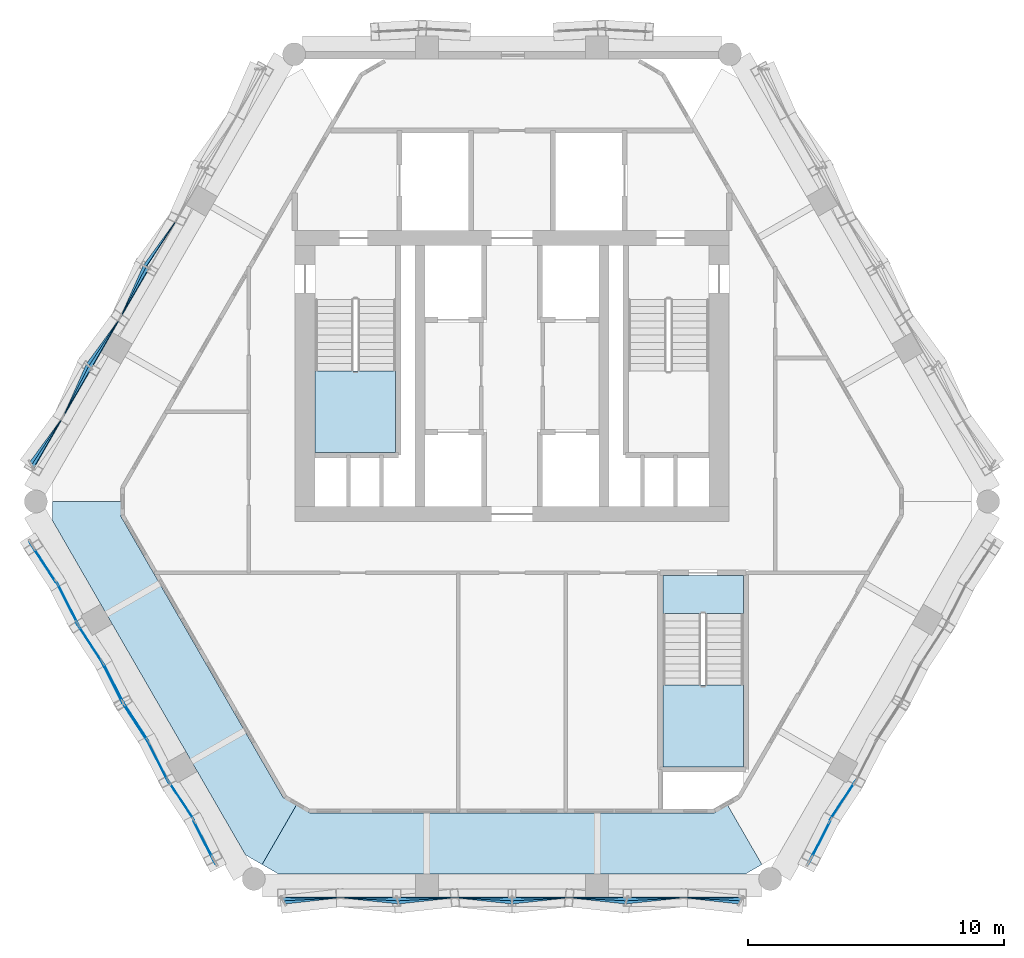
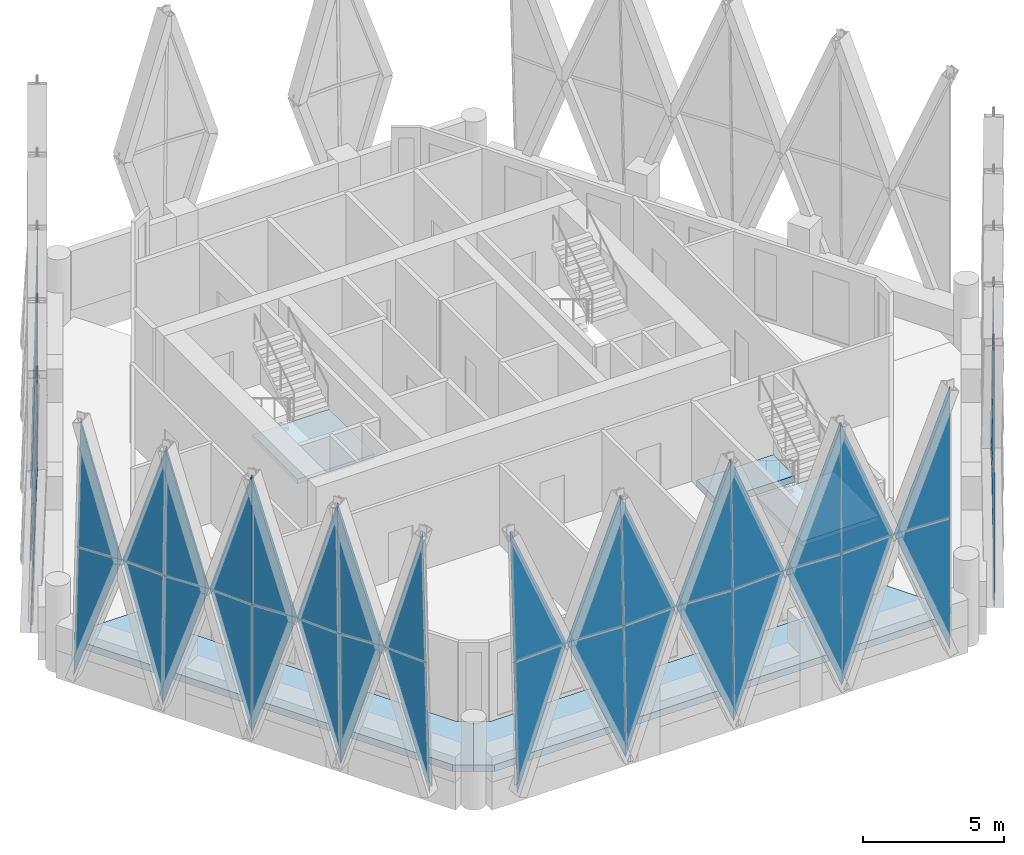
# One storey, part 10 of 21: 45 plates, 5 slabs, 18 elements without a shape of their own.
"""IFC4 building model written with IfcOpenShell, lengths in metres."""

from ifc_helpers import new_model, si_unit, direction, frame, origin, place, context, subcontext, project, spatial, polyline, outline, extrude, material, layer, layer_set, type_object, element, aggregate, save


model = new_model("IFC4")

# Units and contexts
model_context = context("Model", 3, precision=1e-05, world=origin(), true_north=direction((0.0, 1.0)))
body_context = subcontext(model_context, "Body", "Model", "MODEL_VIEW")
ifc_project = project(units=[si_unit("LENGTHUNIT", "METRE"), si_unit("AREAUNIT", "SQUARE_METRE"), si_unit("VOLUMEUNIT", "CUBIC_METRE"), si_unit("PLANEANGLEUNIT", "RADIAN"), si_unit("MASSUNIT", "GRAM", prefix="KILO")], contexts=[model_context])

# Site, building, storey
site_placement = place(None, origin())
site = spatial("IfcSite", under=ifc_project, at=site_placement, CompositionType="ELEMENT")
building_placement = place(site_placement, origin())
building = spatial("IfcBuilding", under=site, at=building_placement, Name="Ostrander Bayou Hotel Tower", CompositionType="ELEMENT")
storey_placement = place(building_placement, frame((0.0, 0.0, 256.25)))
storey = spatial("IfcBuildingStorey", under=building, at=storey_placement, Name="L63", CompositionType="ELEMENT", Elevation=256.25)

# Curtain wall, plate
ifc_material_1 = material(Name="Aluminium and clear glass", Category="aluminium")
curtain_wall_type = type_object("IfcCurtainWallType", Name="CW-LAT lattice glazing", PredefinedType="NOTDEFINED", material=ifc_material_1)
curtain_wall_1_placement = place(storey_placement, origin())
curtain_wall_1 = element("IfcCurtainWall", 1, at=curtain_wall_1_placement, inside=storey, type_object=curtain_wall_type, Name="CW-LAT L63 NW 1", PredefinedType="NOTDEFINED")
ifc_material_2 = material(Name="Clear laminated glass", Category="glass")
ifc_layer_1 = layer(ifc_material_2, 0.028076171875)
ifc_layer_set_1 = layer_set([ifc_layer_1], Name="CW-LA glazing panel 28 mm")
plate_type = type_object("IfcPlateType", Name="CW-LA glazing panel 28 mm", PredefinedType="CURTAIN_PANEL", material=ifc_layer_set_1)
plate_1_placement = place(storey_placement, frame((-13.101318359375, 10.147705078125, 5.02490234375), z_axis=(-0.838709726549, 0.544142756736, 0.02178657577), x_axis=(-0.218819247618, -0.300100725048, -0.928470619728)))
plate_1 = element("IfcPlate", 2, at=plate_1_placement, type_object=plate_type, Name="CW-LAT panel 7", PredefinedType="CURTAIN_PANEL", context=body_context, shape_type="SweptSolid", body=[
    extrude(outline(polyline([(0.0, 0.0), (6.05835002258902, 0.0), (0.830927154296583, 2.0808024842167776), (0.0, 0.0)])), origin(), (0.0, 0.0, -1.0), 0.028076171875),
])

curtain_wall_2_placement = place(storey_placement, origin())
curtain_wall_2 = element("IfcCurtainWall", 3, at=curtain_wall_2_placement, inside=storey, type_object=curtain_wall_type, Name="CW-LAT L63 NW 3", PredefinedType="NOTDEFINED")
plate_2_placement = place(storey_placement, frame((-15.3388671875, 6.2724609375, 5.02490234375), z_axis=(-0.890568507359, 0.454327217481, 0.021783322895), x_axis=(0.150513181786, 0.339551290423, -0.928466856318)))
plate_2 = element("IfcPlate", 4, at=plate_2_placement, type_object=plate_type, Name="CW-LAT panel 9", PredefinedType="CURTAIN_PANEL", context=body_context, shape_type="SweptSolid", body=[
    extrude(outline(polyline([(0.0, 0.0), (6.058374579257302, 0.0), (0.8308428261624163, -2.080528921369311), (0.0, 0.0)])), origin(), (0.0, 0.0, -1.0), 0.028076171875),
])

curtain_wall_3_placement = place(storey_placement, origin())
curtain_wall_3 = element("IfcCurtainWall", 5, at=curtain_wall_3_placement, inside=storey, type_object=curtain_wall_type, Name="CW-LAT L63 NW 4", PredefinedType="NOTDEFINED")
plate_3_placement = place(storey_placement, frame((-15.3388671875, 6.2724609375, 5.02490234375), z_axis=(-0.890568889727, 0.454327412547, 0.021763613176), x_axis=(0.185718467953, 0.319532556263, 0.929197285914)))
plate_3 = element("IfcPlate", 6, at=plate_3_placement, type_object=plate_type, Name="CW-LAT panel 10", PredefinedType="CURTAIN_PANEL", context=body_context, shape_type="SweptSolid", body=[
    extrude(outline(polyline([(0.0, 0.0), (6.053612171788315, 4.440892098500626e-16), (0.8267346499646425, 2.082164790065267), (0.0, 0.0)])), origin(), (0.0, 0.0, -1.0), 0.028076171875),
])

# Plate
plate_4_placement = place(storey_placement, frame((-15.3388671875, 6.2724609375, 5.02490234375), z_axis=(-0.83872110345, 0.544111871997, 0.022117445152), x_axis=(-0.216343178657, -0.295659587632, -0.930473555395)))
plate_4 = element("IfcPlate", 7, at=plate_4_placement, type_object=plate_type, Name="CW-LAT panel 11", PredefinedType="CURTAIN_PANEL", context=body_context, shape_type="SweptSolid", body=[
    extrude(outline(polyline([(0.0, 0.0), (6.045308829449653, -4.440892098500626e-16), (0.8194348974134258, 2.084992143740333), (0.0, 0.0)])), origin(), (0.0, 0.0, -1.0), 0.028076171875),
])

# Curtain wall, plate
curtain_wall_4_placement = place(storey_placement, origin())
curtain_wall_4 = element("IfcCurtainWall", 8, at=curtain_wall_4_placement, inside=storey, type_object=curtain_wall_type, Name="CW-LAT L63 NW 2", PredefinedType="NOTDEFINED")
plate_5_placement = place(storey_placement, frame((-15.3388671875, 6.2724609375, 5.02490234375), z_axis=(-0.838720665132, 0.544111587642, 0.022141049547), x_axis=(-0.186360104934, -0.324993350777, 0.927172709499)))
plate_5 = element("IfcPlate", 9, at=plate_5_placement, type_object=plate_type, Name="CW-LAT panel 12", PredefinedType="CURTAIN_PANEL", context=body_context, shape_type="SweptSolid", body=[
    extrude(outline(polyline([(0.0, 0.0), (6.066830852949581, 0.0), (0.8380081001775215, -2.0775967401290183), (0.0, 0.0)])), origin(), (0.0, 0.0, -1.0), 0.028076171875),
])

# Plate
plate_6_placement = place(storey_placement, frame((-17.576171875, 2.397216796875, 5.02490234375), z_axis=(-0.890597137772, 0.454286246423, 0.021464959892), x_axis=(0.15308160692, 0.343880720353, -0.926451332663)))
plate_6 = element("IfcPlate", 10, at=plate_6_placement, type_object=plate_type, Name="CW-LAT panel 13", PredefinedType="CURTAIN_PANEL", context=body_context, shape_type="SweptSolid", body=[
    extrude(outline(polyline([(0.0, 0.0), (6.071554761364602, 4.440892098500626e-16), (0.842181442808327, -2.076199722610138), (0.0, 0.0)])), origin(), (0.0, 0.0, -1.0), 0.028076171875),
])

aggregate(curtain_wall_2, [plate_2, plate_6])

plate_7_placement = place(storey_placement, frame((-17.576171875, 2.397216796875, 5.02490234375), z_axis=(-0.890596760671, 0.454286054067, 0.02148466808), x_axis=(0.183208290592, 0.315127959794, 0.931197664953)))
plate_7 = element("IfcPlate", 11, at=plate_7_placement, type_object=plate_type, Name="CW-LAT panel 14", PredefinedType="CURTAIN_PANEL", context=body_context, shape_type="SweptSolid", body=[
    extrude(outline(polyline([(0.0, 0.0), (6.04060793073505, 0.0), (0.8154662214549661, 2.0868372510675313), (0.0, 0.0)])), origin(), (0.0, 0.0, -1.0), 0.028076171875),
])

aggregate(curtain_wall_3, [plate_3, plate_7])

plate_8_placement = place(storey_placement, frame((-17.576171875, 2.397216796875, 5.02490234375), z_axis=(-0.838714917544, 0.544107858953, 0.02244827197), x_axis=(-0.213886074507, -0.291225012707, -0.932438061807)))
plate_8 = element("IfcPlate", 12, at=plate_8_placement, type_object=plate_type, Name="CW-LAT panel 15", PredefinedType="CURTAIN_PANEL", context=body_context, shape_type="SweptSolid", body=[
    extrude(outline(polyline([(0.0, 0.0), (6.032572275203838, 0.0), (0.8081047861096888, 2.089409592498435), (0.0, 0.0)])), origin(), (0.0, 0.0, -1.0), 0.028076171875),
])

aggregate(curtain_wall_1, [plate_1, plate_4, plate_8])

plate_9_placement = place(storey_placement, frame((-17.576171875, 2.397216796875, 5.02490234375), z_axis=(-0.838715158221, 0.544108015089, 0.022435491644), x_axis=(-0.188882822207, -0.329300175365, 0.925140353665)))
plate_9 = element("IfcPlate", 13, at=plate_9_placement, type_object=plate_type, Name="CW-LAT panel 16", PredefinedType="CURTAIN_PANEL", context=body_context, shape_type="SweptSolid", body=[
    extrude(outline(polyline([(0.0, 0.0), (6.080158516180518, 0.0), (0.8491781162254626, -2.0730562745573593), (0.0, 0.0)])), origin(), (0.0, 0.0, -1.0), 0.028076171875),
])

aggregate(curtain_wall_4, [plate_5, plate_9])

# Curtain wall, plate
curtain_wall_5_placement = place(storey_placement, origin())
curtain_wall_5 = element("IfcCurtainWall", 14, at=curtain_wall_5_placement, inside=storey, type_object=curtain_wall_type, Name="CW-LAT L63 SW 3", PredefinedType="NOTDEFINED")
plate_10_placement = place(storey_placement, frame((-17.81787109375, -4.08740234375, 5.02490234375), z_axis=(0.838159558755, 0.545423512637, 0.0013213366), x_axis=(-0.176286692119, 0.273193066996, -0.945668308831)))
plate_10 = element("IfcPlate", 15, at=plate_10_placement, type_object=plate_type, Name="CW-LAT panel 1", PredefinedType="CURTAIN_PANEL", context=body_context, shape_type="SweptSolid", body=[
    extrude(outline(polyline([(0.0, 0.0), (5.94817437305664, 2.220446049250313e-16), (0.5827170059740399, 1.6948805664450983), (0.0, 0.0)])), origin(), (0.0, 0.0, -1.0), 0.028076171875),
])

curtain_wall_6_placement = place(storey_placement, origin())
curtain_wall_6 = element("IfcCurtainWall", 16, at=curtain_wall_6_placement, inside=storey, type_object=curtain_wall_type, Name="CW-LAT L63 SW 4", PredefinedType="NOTDEFINED")
plate_11_placement = place(storey_placement, frame((-17.81787109375, -4.08740234375, 5.02490234375), z_axis=(0.838159517912, 0.545423486059, 0.001357714987), x_axis=(-0.154675111336, 0.235302740724, 0.95953542412)))
plate_11 = element("IfcPlate", 17, at=plate_11_placement, type_object=plate_type, Name="CW-LAT panel 2", PredefinedType="CURTAIN_PANEL", context=body_context, shape_type="SweptSolid", body=[
    extrude(outline(polyline([(0.0, 0.0), (5.862211919022257, 2.220446049250313e-16), (0.5046720970369244, -1.7197340835248218), (0.0, 0.0)])), origin(), (0.0, 0.0, -1.0), 0.028076171875),
])

curtain_wall_7_placement = place(storey_placement, origin())
curtain_wall_7 = element("IfcCurtainWall", 18, at=curtain_wall_7_placement, inside=storey, type_object=curtain_wall_type, Name="CW-LAT L63 SW 1", PredefinedType="NOTDEFINED")
plate_12_placement = place(storey_placement, frame((-17.81787109375, -4.08740234375, 5.02490234375), z_axis=(-0.891465138156, -0.453088791184, 0.000674355835), x_axis=(0.132019865957, -0.261176050445, -0.956220594668)))
plate_12 = element("IfcPlate", 19, at=plate_12_placement, type_object=plate_type, Name="CW-LAT panel 3", PredefinedType="CURTAIN_PANEL", context=body_context, shape_type="SweptSolid", body=[
    extrude(outline(polyline([(0.0, 0.0), (5.882533833057464, -2.220446049250313e-16), (0.5244712276077235, 1.7137089764493385), (0.0, 0.0)])), origin(), (0.0, 0.0, -1.0), 0.028076171875),
])

curtain_wall_8_placement = place(storey_placement, origin())
curtain_wall_8 = element("IfcCurtainWall", 20, at=curtain_wall_8_placement, inside=storey, type_object=curtain_wall_type, Name="CW-LAT L63 SW 2", PredefinedType="NOTDEFINED")
plate_13_placement = place(storey_placement, frame((-17.81787109375, -4.08740234375, 5.02490234375), z_axis=(-0.891465149806, -0.453088797105, 0.000654690532), x_axis=(0.143010951676, -0.280006461421, 0.949286178801)))
plate_13 = element("IfcPlate", 21, at=plate_13_placement, type_object=plate_type, Name="CW-LAT panel 4", PredefinedType="CURTAIN_PANEL", context=body_context, shape_type="SweptSolid", body=[
    extrude(outline(polyline([(0.0, 0.0), (5.9255050011393955, 2.220446049250313e-16), (0.563480641799906, -1.7012813085636833), (0.0, 0.0)])), origin(), (0.0, 0.0, -1.0), 0.028076171875),
])

# Plate
plate_14_placement = place(storey_placement, frame((-16.028076171875, -7.187255859375, 5.02490234375), z_axis=(0.838097829117, 0.54551955235, 0.000668455834), x_axis=(-0.170986839235, 0.263855353846, -0.949285970114)))
plate_14 = element("IfcPlate", 22, at=plate_14_placement, type_object=plate_type, Name="CW-LAT panel 5", PredefinedType="CURTAIN_PANEL", context=body_context, shape_type="SweptSolid", body=[
    extrude(outline(polyline([(0.0, 0.0), (5.9255063037795335, 2.220446049250313e-16), (0.5635508504272266, 1.701489657960742), (0.0, 0.0)])), origin(), (0.0, 0.0, -1.0), 0.028076171875),
])

plate_15_placement = place(storey_placement, frame((-16.028076171875, -7.187255859375, 5.02490234375), z_axis=(0.838097815617, 0.545519543564, 0.000692132887), x_axis=(-0.160200042577, 0.244906852654, 0.956219943256)))
plate_15 = element("IfcPlate", 23, at=plate_15_placement, type_object=plate_type, Name="CW-LAT panel 6", PredefinedType="CURTAIN_PANEL", context=body_context, shape_type="SweptSolid", body=[
    extrude(outline(polyline([(0.0, 0.0), (5.882537840451157, 0.0), (0.5245393151617064, -1.713918062223017), (0.0, 0.0)])), origin(), (0.0, 0.0, -1.0), 0.028076171875),
])

plate_16_placement = place(storey_placement, frame((-16.028076171875, -7.187255859375, 5.02490234375), z_axis=(-0.891465340856, -0.453088894206, 0.0), x_axis=(0.137545177887, -0.270624066173, -0.952808448141)))
plate_16 = element("IfcPlate", 24, at=plate_16_placement, type_object=plate_type, Name="CW-LAT panel 7", PredefinedType="CURTAIN_PANEL", context=body_context, shape_type="SweptSolid", body=[
    extrude(outline(polyline([(0.0, 0.0), (5.903600047814163, 4.440892098500626e-16), (0.5440525270238457, 1.707593444702327), (0.0, 0.0)])), origin(), (0.0, 0.0, -1.0), 0.028076171875),
])

plate_17_placement = place(storey_placement, frame((-16.028076171875, -7.187255859375, 5.02490234375), z_axis=(0.891465340856, 0.453088894206, 0.0), x_axis=(0.137545177887, -0.270624066173, 0.952808448141)))
plate_17 = element("IfcPlate", 25, at=plate_17_placement, type_object=plate_type, Name="CW-LAT panel 8", PredefinedType="CURTAIN_PANEL", context=body_context, shape_type="SweptSolid", body=[
    extrude(outline(polyline([(0.0, 0.0), (5.903600047814163, 4.440892098500626e-16), (0.5440525270238457, 1.707593444702327), (0.0, 0.0)])), origin(), (0.0, 0.0, -1.0), 0.028076171875),
])

plate_18_placement = place(storey_placement, frame((-14.23828125, -10.287109375, 5.02490234375), z_axis=(0.838098016362, 0.545519674229, 0.0), x_axis=(-0.165623033482, 0.254451566795, -0.952797675761)))
plate_18 = element("IfcPlate", 26, at=plate_18_placement, type_object=plate_type, Name="CW-LAT panel 9", PredefinedType="CURTAIN_PANEL", context=body_context, shape_type="SweptSolid", body=[
    extrude(outline(polyline([(0.0, 0.0), (5.903666794219049, 0.0), (0.5441798680627589, 1.7077836187174915), (0.0, 0.0)])), origin(), (0.0, 0.0, -1.0), 0.028076171875),
])

plate_19_placement = place(storey_placement, frame((-14.23828125, -10.287109375, 5.02490234375), z_axis=(-0.838098016362, -0.545519674229, 0.0), x_axis=(-0.165623033482, 0.254451566795, 0.952797675761)))
plate_19 = element("IfcPlate", 27, at=plate_19_placement, type_object=plate_type, Name="CW-LAT panel 10", PredefinedType="CURTAIN_PANEL", context=body_context, shape_type="SweptSolid", body=[
    extrude(outline(polyline([(0.0, 0.0), (5.903666794219049, 0.0), (0.5441798680627589, 1.7077836187174915), (0.0, 0.0)])), origin(), (0.0, 0.0, -1.0), 0.028076171875),
])

plate_20_placement = place(storey_placement, frame((-14.23828125, -10.287109375, 5.02490234375), z_axis=(0.891493098439, 0.453033773171, 0.000675131172), x_axis=(0.143010951676, -0.280006461421, -0.949286178801)))
plate_20 = element("IfcPlate", 28, at=plate_20_placement, type_object=plate_type, Name="CW-LAT panel 11", PredefinedType="CURTAIN_PANEL", context=body_context, shape_type="SweptSolid", body=[
    extrude(outline(polyline([(0.0, 0.0), (5.9255050011393955, 2.220446049250313e-16), (0.5635490027524013, -1.701487940375609), (0.0, 0.0)])), origin(), (0.0, 0.0, -1.0), 0.028076171875),
])

plate_21_placement = place(storey_placement, frame((-14.23828125, -10.287109375, 5.02490234375), z_axis=(0.891493086823, 0.453033767269, 0.000694161516), x_axis=(0.131979086351, -0.26117748126, 0.956225833184)))
plate_21 = element("IfcPlate", 29, at=plate_21_placement, type_object=plate_type, Name="CW-LAT panel 12", PredefinedType="CURTAIN_PANEL", context=body_context, shape_type="SweptSolid", body=[
    extrude(outline(polyline([(0.0, 0.0), (5.882501606622842, 0.0), (0.5245041640745078, 1.7139265070636367), (0.0, 0.0)])), origin(), (0.0, 0.0, -1.0), 0.028076171875),
])

plate_22_placement = place(storey_placement, frame((-12.44873046875, -13.386962890625, 5.02490234375), z_axis=(-0.838119572872, -0.545486145933, 0.000667955059), x_axis=(-0.160159604697, 0.244908480776, -0.956226300134)))
plate_22 = element("IfcPlate", 30, at=plate_22_placement, type_object=plate_type, Name="CW-LAT panel 13", PredefinedType="CURTAIN_PANEL", context=body_context, shape_type="SweptSolid", body=[
    extrude(outline(polyline([(0.0, 0.0), (5.882498734048884, 0.0), (0.5244033278668452, -1.7136064186775277), (0.0, 0.0)])), origin(), (0.0, 0.0, -1.0), 0.028076171875),
])

aggregate(curtain_wall_5, [plate_10, plate_14, plate_18, plate_22])

plate_23_placement = place(storey_placement, frame((-12.44873046875, -13.386962890625, 5.02490234375), z_axis=(-0.838119579915, -0.545486150517, 0.000655253961), x_axis=(-0.170986839235, 0.263855353846, 0.949285970114)))
plate_23 = element("IfcPlate", 31, at=plate_23_placement, type_object=plate_type, Name="CW-LAT panel 14", PredefinedType="CURTAIN_PANEL", context=body_context, shape_type="SweptSolid", body=[
    extrude(outline(polyline([(0.0, 0.0), (5.9255063037795335, 0.0), (0.5634446877824315, 1.7011689781501431), (0.0, 0.0)])), origin(), (0.0, 0.0, -1.0), 0.028076171875),
])

aggregate(curtain_wall_6, [plate_11, plate_15, plate_19, plate_23])

plate_24_placement = place(storey_placement, frame((-12.44873046875, -13.386962890625, 5.02490234375), z_axis=(0.891492488923, 0.453033463431, 0.001350261421), x_axis=(0.148419099614, -0.289244854807, -0.945679218783)))
plate_24 = element("IfcPlate", 32, at=plate_24_placement, type_object=plate_type, Name="CW-LAT panel 15", PredefinedType="CURTAIN_PANEL", context=body_context, shape_type="SweptSolid", body=[
    extrude(outline(polyline([(0.0, 0.0), (5.948105751167586, 0.0), (0.5827025146561546, -1.6950240320302985), (0.0, 0.0)])), origin(), (0.0, 0.0, -1.0), 0.028076171875),
])

aggregate(curtain_wall_7, [plate_12, plate_16, plate_20, plate_24])

plate_25_placement = place(storey_placement, frame((-12.44873046875, -13.386962890625, 5.02490234375), z_axis=(0.89149251242, 0.453033475372, 0.001330598546), x_axis=(0.126438040785, -0.251626693816, 0.959529795682)))
plate_25 = element("IfcPlate", 33, at=plate_25_placement, type_object=plate_type, Name="CW-LAT panel 16", PredefinedType="CURTAIN_PANEL", context=body_context, shape_type="SweptSolid", body=[
    extrude(outline(polyline([(0.0, 0.0), (5.862246305755488, 0.0), (0.5047435631530058, 1.719849593773381), (0.0, 0.0)])), origin(), (0.0, 0.0, -1.0), 0.028076171875),
])

aggregate(curtain_wall_8, [plate_13, plate_17, plate_21, plate_25])

# Curtain wall, plate
curtain_wall_9_placement = place(storey_placement, origin())
curtain_wall_9 = element("IfcCurtainWall", 34, at=curtain_wall_9_placement, inside=storey, type_object=curtain_wall_type, Name="CW-LAT L63 S 3", PredefinedType="NOTDEFINED")
plate_26_placement = place(storey_placement, frame((-6.7119140625, -16.419921875, 5.02490234375), z_axis=(0.05196808447, -0.998397329318, 0.022407387318), x_axis=(-0.359136501285, -0.039620761185, -0.932443654452)))
plate_26 = element("IfcPlate", 35, at=plate_26_placement, type_object=plate_type, Name="CW-LAT panel 1", PredefinedType="CURTAIN_PANEL", context=body_context, shape_type="SweptSolid", body=[
    extrude(outline(polyline([(0.0, 0.0), (6.032536092816991, -4.440892098500626e-16), (0.8081118166165647, -2.0895093543162826), (0.0, 0.0)])), origin(), (0.0, 0.0, -1.0), 0.028076171875),
])

curtain_wall_10_placement = place(storey_placement, origin())
curtain_wall_10 = element("IfcCurtainWall", 36, at=curtain_wall_10_placement, inside=storey, type_object=curtain_wall_type, Name="CW-LAT L63 S 4", PredefinedType="NOTDEFINED")
plate_27_placement = place(storey_placement, frame((-6.7119140625, -16.419921875, 5.02490234375), z_axis=(0.05196803133, -0.998396308394, 0.022452953135), x_axis=(-0.379648678429, 0.001043983674, 0.925130148176)))
plate_27 = element("IfcPlate", 37, at=plate_27_placement, type_object=plate_type, Name="CW-LAT panel 2", PredefinedType="CURTAIN_PANEL", context=body_context, shape_type="SweptSolid", body=[
    extrude(outline(polyline([(0.0, 0.0), (6.080225588894016, 0.0), (0.8492681906524877, 2.0731226664807907), (0.0, 0.0)])), origin(), (0.0, 0.0, -1.0), 0.028076171875),
])

curtain_wall_11_placement = place(storey_placement, origin())
curtain_wall_11 = element("IfcCurtainWall", 38, at=curtain_wall_11_placement, inside=storey, type_object=curtain_wall_type, Name="CW-LAT L63 S 1", PredefinedType="NOTDEFINED")
plate_28_placement = place(storey_placement, frame((-6.7119140625, -16.419921875, 5.02490234375), z_axis=(-0.051969202032, -0.998418799619, 0.021426679823), x_axis=(0.37432436136, -0.039366586075, -0.926461841844)))
plate_28 = element("IfcPlate", 39, at=plate_28_placement, type_object=plate_type, Name="CW-LAT panel 3", PredefinedType="CURTAIN_PANEL", context=body_context, shape_type="SweptSolid", body=[
    extrude(outline(polyline([(0.0, 0.0), (6.071485889589, 0.0), (0.8420620871724286, 2.0760600885517224), (0.0, 0.0)])), origin(), (0.0, 0.0, -1.0), 0.028076171875),
])

curtain_wall_12_placement = place(storey_placement, origin())
curtain_wall_12 = element("IfcCurtainWall", 40, at=curtain_wall_12_placement, inside=storey, type_object=curtain_wall_type, Name="CW-LAT L63 S 2", PredefinedType="NOTDEFINED")
plate_29_placement = place(storey_placement, frame((-6.7119140625, -16.419921875, 5.02490234375), z_axis=(-0.051969153729, -0.998417871644, 0.021469994017), x_axis=(0.364516484881, 0.001050829206, 0.931196342351)))
plate_29 = element("IfcPlate", 41, at=plate_29_placement, type_object=plate_type, Name="CW-LAT panel 4", PredefinedType="CURTAIN_PANEL", context=body_context, shape_type="SweptSolid", body=[
    extrude(outline(polyline([(0.0, 0.0), (6.040616510368495, -4.440892098500626e-16), (0.8154120658985269, -2.086671323595949), (0.0, 0.0)])), origin(), (0.0, 0.0, -1.0), 0.028076171875),
])

# Plate
plate_30_placement = place(storey_placement, frame((-2.2373046875, -16.419921875, 5.02490234375), z_axis=(0.051968462542, -0.998404592728, 0.022080491867), x_axis=(-0.364231675371, -0.039536845569, -0.930468765999)))
plate_30 = element("IfcPlate", 42, at=plate_30_placement, type_object=plate_type, Name="CW-LAT panel 5", PredefinedType="CURTAIN_PANEL", context=body_context, shape_type="SweptSolid", body=[
    extrude(outline(polyline([(0.0, 0.0), (6.045339946433101, 0.0), (0.8195015010825082, -2.085068665453032), (0.0, 0.0)])), origin(), (0.0, 0.0, -1.0), 0.028076171875),
])

plate_31_placement = place(storey_placement, frame((-2.2373046875, -16.419921875, 5.02490234375), z_axis=(0.051968412768, -0.998403636493, 0.02212380421), x_axis=(-0.374614544358, 0.001046296933, 0.92718005178)))
plate_31 = element("IfcPlate", 43, at=plate_31_placement, type_object=plate_type, Name="CW-LAT panel 6", PredefinedType="CURTAIN_PANEL", context=body_context, shape_type="SweptSolid", body=[
    extrude(outline(polyline([(0.0, 0.0), (6.066782810095894, 0.0), (0.8380050295074355, 2.077701042125843), (0.0, 0.0)])), origin(), (0.0, 0.0, -1.0), 0.028076171875),
])

plate_32_placement = place(storey_placement, frame((-2.2373046875, -16.419921875, 5.02490234375), z_axis=(-0.051968835062, -0.998411749497, 0.021753589334), x_axis=(0.369294352119, -0.039452113785, -0.928474669666)))
plate_32 = element("IfcPlate", 44, at=plate_32_placement, type_object=plate_type, Name="CW-LAT panel 7", PredefinedType="CURTAIN_PANEL", context=body_context, shape_type="SweptSolid", body=[
    extrude(outline(polyline([(0.0, 0.0), (6.0583235965118805, 0.0), (0.8308183840557167, 2.0805852211927345), (0.0, 0.0)])), origin(), (0.0, 0.0, -1.0), 0.028076171875),
])

plate_33_placement = place(storey_placement, frame((-2.2373046875, -16.419921875, 5.02490234375), z_axis=(-0.051968786024, -0.998410807391, 0.021796902609), x_axis=(0.369581882527, 0.001048573652, 0.929197574578)))
plate_33 = element("IfcPlate", 45, at=plate_33_placement, type_object=plate_type, Name="CW-LAT panel 8", PredefinedType="CURTAIN_PANEL", context=body_context, shape_type="SweptSolid", body=[
    extrude(outline(polyline([(0.0, 0.0), (6.053610291177434, -4.440892098500626e-16), (0.8267451664668573, -2.082207117376718), (0.0, 0.0)])), origin(), (0.0, 0.0, -1.0), 0.028076171875),
])

plate_34_placement = place(storey_placement, frame((2.2373046875, -16.419921875, 5.02490234375), z_axis=(0.051968835062, -0.998411749497, 0.021753589334), x_axis=(-0.369294352119, -0.039452113785, -0.928474669666)))
plate_34 = element("IfcPlate", 46, at=plate_34_placement, type_object=plate_type, Name="CW-LAT panel 9", PredefinedType="CURTAIN_PANEL", context=body_context, shape_type="SweptSolid", body=[
    extrude(outline(polyline([(0.0, 0.0), (6.0583235965118805, 0.0), (0.8308183840557167, -2.0805852211927345), (0.0, 0.0)])), origin(), (0.0, 0.0, -1.0), 0.028076171875),
])

plate_35_placement = place(storey_placement, frame((2.2373046875, -16.419921875, 5.02490234375), z_axis=(0.051968786024, -0.998410807391, 0.021796902609), x_axis=(-0.369581882527, 0.001048573652, 0.929197574578)))
plate_35 = element("IfcPlate", 47, at=plate_35_placement, type_object=plate_type, Name="CW-LAT panel 10", PredefinedType="CURTAIN_PANEL", context=body_context, shape_type="SweptSolid", body=[
    extrude(outline(polyline([(0.0, 0.0), (6.053610291177434, 4.440892098500626e-16), (0.8267451664668573, 2.082207117376718), (0.0, 0.0)])), origin(), (0.0, 0.0, -1.0), 0.028076171875),
])

plate_36_placement = place(storey_placement, frame((2.2373046875, -16.419921875, 5.02490234375), z_axis=(-0.051968462542, -0.998404592728, 0.022080491867), x_axis=(0.364231675371, -0.039536845569, -0.930468765999)))
plate_36 = element("IfcPlate", 48, at=plate_36_placement, type_object=plate_type, Name="CW-LAT panel 11", PredefinedType="CURTAIN_PANEL", context=body_context, shape_type="SweptSolid", body=[
    extrude(outline(polyline([(0.0, 0.0), (6.045339946433101, 0.0), (0.8195015010825082, 2.085068665453032), (0.0, 0.0)])), origin(), (0.0, 0.0, -1.0), 0.028076171875),
])

plate_37_placement = place(storey_placement, frame((2.2373046875, -16.419921875, 5.02490234375), z_axis=(-0.051968412768, -0.998403636493, 0.02212380421), x_axis=(0.374614544358, 0.001046296933, 0.92718005178)))
plate_37 = element("IfcPlate", 49, at=plate_37_placement, type_object=plate_type, Name="CW-LAT panel 12", PredefinedType="CURTAIN_PANEL", context=body_context, shape_type="SweptSolid", body=[
    extrude(outline(polyline([(0.0, 0.0), (6.066782810095894, 0.0), (0.8380050295074355, -2.077701042125843), (0.0, 0.0)])), origin(), (0.0, 0.0, -1.0), 0.028076171875),
])

plate_38_placement = place(storey_placement, frame((6.7119140625, -16.419921875, 5.02490234375), z_axis=(0.051969202032, -0.998418799619, 0.021426679823), x_axis=(-0.37432436136, -0.039366586075, -0.926461841844)))
plate_38 = element("IfcPlate", 50, at=plate_38_placement, type_object=plate_type, Name="CW-LAT panel 13", PredefinedType="CURTAIN_PANEL", context=body_context, shape_type="SweptSolid", body=[
    extrude(outline(polyline([(0.0, 0.0), (6.071485889589, 0.0), (0.8420620871724286, -2.0760600885517224), (0.0, 0.0)])), origin(), (0.0, 0.0, -1.0), 0.028076171875),
])

aggregate(curtain_wall_9, [plate_26, plate_30, plate_34, plate_38])

plate_39_placement = place(storey_placement, frame((6.7119140625, -16.419921875, 5.02490234375), z_axis=(0.051969153729, -0.998417871644, 0.021469994017), x_axis=(-0.364516484881, 0.001050829206, 0.931196342351)))
plate_39 = element("IfcPlate", 51, at=plate_39_placement, type_object=plate_type, Name="CW-LAT panel 14", PredefinedType="CURTAIN_PANEL", context=body_context, shape_type="SweptSolid", body=[
    extrude(outline(polyline([(0.0, 0.0), (6.040616510368495, 4.440892098500626e-16), (0.8154120658985269, 2.086671323595949), (0.0, 0.0)])), origin(), (0.0, 0.0, -1.0), 0.028076171875),
])

aggregate(curtain_wall_10, [plate_27, plate_31, plate_35, plate_39])

plate_40_placement = place(storey_placement, frame((6.7119140625, -16.419921875, 5.02490234375), z_axis=(-0.05196808447, -0.998397329318, 0.022407387318), x_axis=(0.359136501285, -0.039620761185, -0.932443654452)))
plate_40 = element("IfcPlate", 52, at=plate_40_placement, type_object=plate_type, Name="CW-LAT panel 15", PredefinedType="CURTAIN_PANEL", context=body_context, shape_type="SweptSolid", body=[
    extrude(outline(polyline([(0.0, 0.0), (6.032536092816991, 4.440892098500626e-16), (0.8081118166165647, 2.0895093543162826), (0.0, 0.0)])), origin(), (0.0, 0.0, -1.0), 0.028076171875),
])

aggregate(curtain_wall_11, [plate_28, plate_32, plate_36, plate_40])

plate_41_placement = place(storey_placement, frame((6.7119140625, -16.419921875, 5.02490234375), z_axis=(-0.05196803133, -0.998396308394, 0.022452953135), x_axis=(0.379648678429, 0.001043983674, 0.925130148176)))
plate_41 = element("IfcPlate", 53, at=plate_41_placement, type_object=plate_type, Name="CW-LAT panel 16", PredefinedType="CURTAIN_PANEL", context=body_context, shape_type="SweptSolid", body=[
    extrude(outline(polyline([(0.0, 0.0), (6.080225588894016, 0.0), (0.8492681906524877, -2.0731226664807907), (0.0, 0.0)])), origin(), (0.0, 0.0, -1.0), 0.028076171875),
])

aggregate(curtain_wall_12, [plate_29, plate_33, plate_37, plate_41])

# Curtain wall, plate
curtain_wall_13_placement = place(storey_placement, origin())
curtain_wall_13 = element("IfcCurtainWall", 54, at=curtain_wall_13_placement, inside=storey, type_object=curtain_wall_type, Name="CW-LAT L63 SE 3", PredefinedType="NOTDEFINED")
plate_42_placement = place(storey_placement, frame((12.44873046875, -13.386962890625, 5.02490234375), z_axis=(-0.891492488923, 0.453033463431, 0.001350261421), x_axis=(-0.148419099614, -0.289244854807, -0.945679218783)))
plate_42 = element("IfcPlate", 55, at=plate_42_placement, type_object=plate_type, Name="CW-LAT panel 1", PredefinedType="CURTAIN_PANEL", context=body_context, shape_type="SweptSolid", body=[
    extrude(outline(polyline([(0.0, 0.0), (5.948105751167586, 0.0), (0.5827025146561546, 1.6950240320302985), (0.0, 0.0)])), origin(), (0.0, 0.0, -1.0), 0.028076171875),
])
aggregate(curtain_wall_13, [plate_42])

curtain_wall_14_placement = place(storey_placement, origin())
curtain_wall_14 = element("IfcCurtainWall", 56, at=curtain_wall_14_placement, inside=storey, type_object=curtain_wall_type, Name="CW-LAT L63 SE 4", PredefinedType="NOTDEFINED")
plate_43_placement = place(storey_placement, frame((12.44873046875, -13.386962890625, 5.02490234375), z_axis=(-0.89149251242, 0.453033475372, 0.001330598546), x_axis=(-0.126438040785, -0.251626693816, 0.959529795682)))
plate_43 = element("IfcPlate", 57, at=plate_43_placement, type_object=plate_type, Name="CW-LAT panel 2", PredefinedType="CURTAIN_PANEL", context=body_context, shape_type="SweptSolid", body=[
    extrude(outline(polyline([(0.0, 0.0), (5.862246305755488, 0.0), (0.5047435631530058, -1.719849593773381), (0.0, 0.0)])), origin(), (0.0, 0.0, -1.0), 0.028076171875),
])
aggregate(curtain_wall_14, [plate_43])

curtain_wall_15_placement = place(storey_placement, origin())
curtain_wall_15 = element("IfcCurtainWall", 58, at=curtain_wall_15_placement, inside=storey, type_object=curtain_wall_type, Name="CW-LAT L63 SE 1", PredefinedType="NOTDEFINED")
plate_44_placement = place(storey_placement, frame((12.44873046875, -13.386962890625, 5.02490234375), z_axis=(0.838119572872, -0.545486145933, 0.000667955059), x_axis=(0.160159604697, 0.244908480776, -0.956226300134)))
plate_44 = element("IfcPlate", 59, at=plate_44_placement, type_object=plate_type, Name="CW-LAT panel 3", PredefinedType="CURTAIN_PANEL", context=body_context, shape_type="SweptSolid", body=[
    extrude(outline(polyline([(0.0, 0.0), (5.882498734048884, 0.0), (0.5244033278668452, 1.7136064186775277), (0.0, 0.0)])), origin(), (0.0, 0.0, -1.0), 0.028076171875),
])
aggregate(curtain_wall_15, [plate_44])

curtain_wall_16_placement = place(storey_placement, origin())
curtain_wall_16 = element("IfcCurtainWall", 60, at=curtain_wall_16_placement, inside=storey, type_object=curtain_wall_type, Name="CW-LAT L63 SE 2", PredefinedType="NOTDEFINED")
plate_45_placement = place(storey_placement, frame((12.44873046875, -13.386962890625, 5.02490234375), z_axis=(0.838119579915, -0.545486150517, 0.000655253961), x_axis=(0.170986839235, 0.263855353846, 0.949285970114)))
plate_45 = element("IfcPlate", 61, at=plate_45_placement, type_object=plate_type, Name="CW-LAT panel 4", PredefinedType="CURTAIN_PANEL", context=body_context, shape_type="SweptSolid", body=[
    extrude(outline(polyline([(0.0, 0.0), (5.9255063037795335, 0.0), (0.5634446877824315, -1.7011689781501431), (0.0, 0.0)])), origin(), (0.0, 0.0, -1.0), 0.028076171875),
])
aggregate(curtain_wall_16, [plate_45])

# Slabs
ifc_material_3 = material(Name="Concrete f'c 40 MPa", Category="concrete")
ifc_layer_2 = layer(ifc_material_3, 0.300048828125)
ifc_layer_set_2 = layer_set([ifc_layer_2], Name="SL1 floor slab 300 mm f'c 40 MPa")
slab_type_1 = type_object("IfcSlabType", Name="SL1 floor slab 300 mm f'c 40 MPa", PredefinedType="FLOOR", material=ifc_layer_set_2)
slab_1_placement = place(storey_placement, frame((0.0, 0.0, -0.300048828125)))
element("IfcSlab", 62, at=slab_1_placement, inside=storey, type_object=slab_type_1, Name="cslab:L63:004", PredefinedType="FLOOR", context=body_context, shape_type="SweptSolid", body=[
    extrude(outline(polyline([(9.050048828125, -5.300048828125), (9.050048828125, -3.800048828125), (5.89990234375, -3.800048828125), (5.89990234375, -5.300048828125), (9.050048828125, -5.300048828125)])), origin(), (0.0, 0.0, 1.0), 0.300048828125),
])
ifc_material_4 = material(Name="Concrete f'c 40 MPa", Category="concrete")
ifc_layer_3 = layer(ifc_material_4, 0.300048828125)
ifc_layer_set_3 = layer_set([ifc_layer_3], Name="SL4 loggia slab 300 mm f'c 40 MPa")
slab_type_2 = type_object("IfcSlabType", Name="SL4 loggia slab 300 mm f'c 40 MPa", PredefinedType="FLOOR", material=ifc_layer_set_3)
slab_2_placement = place(storey_placement, frame((0.0, 0.0, -0.300048828125)))
element("IfcSlab", 63, at=slab_2_placement, inside=storey, type_object=slab_type_2, Name="SL4 LOGGIA L63 SW 1", PredefinedType="FLOOR", context=body_context, shape_type="SweptSolid", body=[
    extrude(outline(polyline([(-8.435791015625, -12.7890625), (-9.778076171875, -15.114013671875), (-10.427490234375, -14.739013671875), (-16.077392578125, -4.952880859375), (-17.97802734375, -1.660888671875), (-17.97802734375, -0.910888671875), (-15.29345703125, -0.910888671875), (-15.29345703125, -1.510986328125), (-8.955322265625, -12.489013671875), (-8.435791015625, -12.7890625)])), origin(), (0.0, 0.0, 1.0), 0.300048828125),
])
slab_3_placement = place(storey_placement, frame((0.0, 0.0, -0.300048828125)))
element("IfcSlab", 64, at=slab_3_placement, inside=storey, type_object=slab_type_2, Name="SL4 LOGGIA L63 S 1", PredefinedType="FLOOR", context=body_context, shape_type="SweptSolid", body=[
    extrude(outline(polyline([(8.435791015625, -12.7890625), (9.778076171875, -15.114013671875), (9.12841796875, -15.489013671875), (-9.12841796875, -15.489013671875), (-9.778076171875, -15.114013671875), (-8.435791015625, -12.7890625), (-7.916015625, -13.089111328125), (7.916015625, -13.089111328125), (8.435791015625, -12.7890625)])), origin(), (0.0, 0.0, 1.0), 0.300048828125),
])

# Stair, slab
ifc_material_5 = material(Name="Concrete f'c 45 MPa", Category="concrete")
stair_type = type_object("IfcStairType", Name="ST1 exit stair 1500 mm f'c 45 MPa", PredefinedType="HALF_TURN_STAIR", material=ifc_material_5)
stair_1_placement = place(storey_placement, origin())
stair_1 = element("IfcStair", 65, at=stair_1_placement, inside=storey, type_object=stair_type, Name="L63 exit stair A", PredefinedType="HALF_TURN_STAIR")
ifc_material_6 = material(Name="Concrete f'c 45 MPa", Category="concrete")
ifc_layer_4 = layer(ifc_material_6, 0.199951171875)
ifc_layer_set_4 = layer_set([ifc_layer_4], Name="SL8 stair landing 200 mm f'c 45 MPa")
slab_type_3 = type_object("IfcSlabType", Name="SL8 stair landing 200 mm f'c 45 MPa", PredefinedType="LANDING", material=ifc_layer_set_4)
slab_4_placement = place(storey_placement, frame((0.0, 0.0, 1.675048828125)))
slab_4 = element("IfcSlab", 66, at=slab_4_placement, type_object=slab_type_3, Name="STA landing 1", PredefinedType="LANDING", context=body_context, shape_type="SweptSolid", body=[
    extrude(outline(polyline([(-7.699951171875, 4.199951171875), (-7.699951171875, 1.0), (-4.550048828125, 1.0), (-4.550048828125, 4.199951171875), (-7.699951171875, 4.199951171875)])), origin(), (0.0, 0.0, 1.0), 0.199951171875),
])
aggregate(stair_1, [slab_4])

stair_2_placement = place(storey_placement, origin())
stair_2 = element("IfcStair", 67, at=stair_2_placement, inside=storey, type_object=stair_type, Name="L63 exit stair C", PredefinedType="HALF_TURN_STAIR")
slab_5_placement = place(storey_placement, frame((0.0, 0.0, 1.675048828125)))
slab_5 = element("IfcSlab", 68, at=slab_5_placement, type_object=slab_type_3, Name="STC landing 1", PredefinedType="LANDING", context=body_context, shape_type="SweptSolid", body=[
    extrude(outline(polyline([(5.89990234375, -8.10009765625), (5.89990234375, -11.300048828125), (9.050048828125, -11.300048828125), (9.050048828125, -8.10009765625), (5.89990234375, -8.10009765625)])), origin(), (0.0, 0.0, 1.0), 0.199951171875),
])
aggregate(stair_2, [slab_5])

save(model, "model.ifc")
